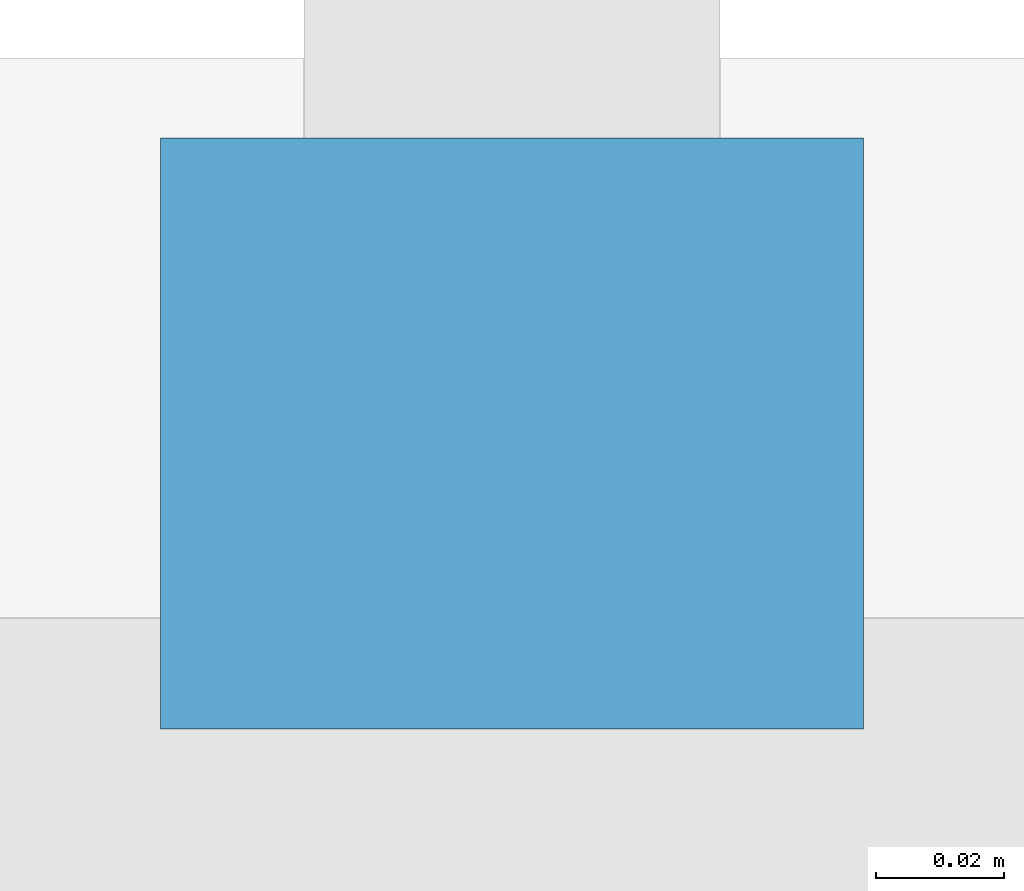
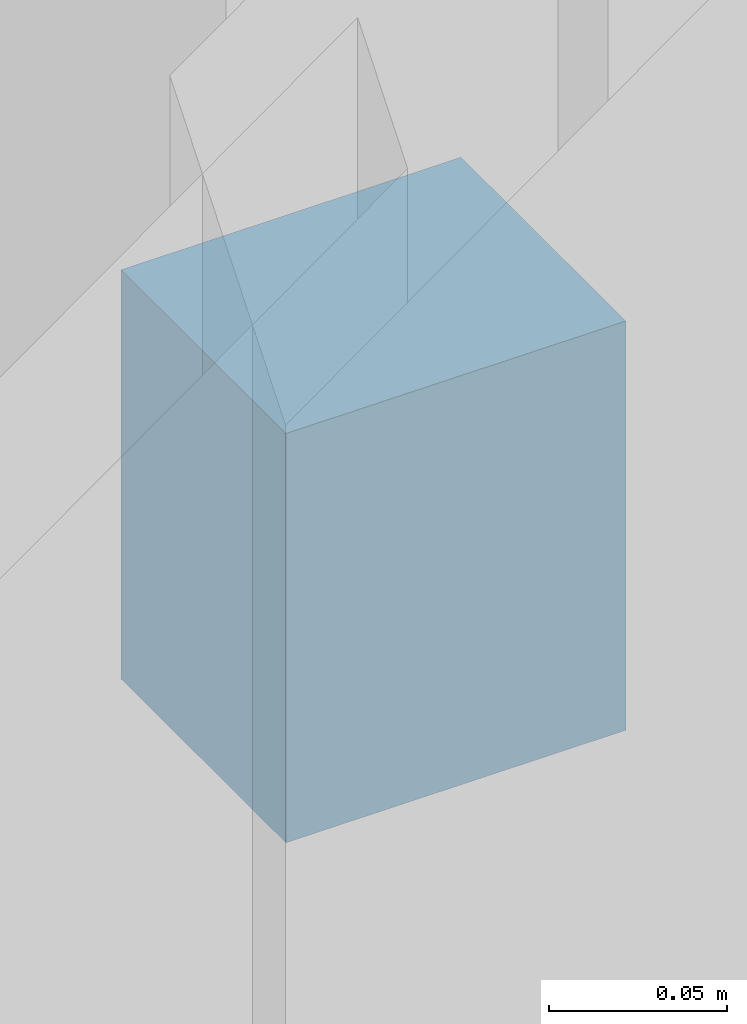
# One storey, part 13 of 15: 1 discrete accessory.
"""IFC4 building model written with IfcOpenShell, lengths in metres."""

from ifc_helpers import new_model, si_unit, direction, frame, origin, place, context, subcontext, project, spatial, polyline, outline, extrude, material, type_object, element, save


model = new_model("IFC4")

# Units and contexts
model_context = context("Model", 3, precision=1e-05, world=origin(), true_north=direction((0.0, 1.0)))
body_context = subcontext(model_context, "Body", "Model", "MODEL_VIEW")
ifc_project = project(units=[si_unit("LENGTHUNIT", "METRE"), si_unit("AREAUNIT", "SQUARE_METRE"), si_unit("VOLUMEUNIT", "CUBIC_METRE"), si_unit("PLANEANGLEUNIT", "RADIAN"), si_unit("MASSUNIT", "GRAM", prefix="KILO")], contexts=[model_context])

# Site, building, storey
site_placement = place(None, origin())
site = spatial("IfcSite", under=ifc_project, at=site_placement, CompositionType="ELEMENT")
building_placement = place(site_placement, origin())
building = spatial("IfcBuilding", under=site, at=building_placement, Name="Qalmaran Belvedere Hotel", CompositionType="ELEMENT")
storey_placement = place(building_placement, frame((0.0, 0.0, 203.89990234375)))
storey = spatial("IfcBuildingStorey", under=building, at=storey_placement, Name="L51", CompositionType="ELEMENT", Elevation=203.89990234375)

# Discrete accessory
ifc_material = material(Name="Stainless Steel 1.4401", Category="steel")
discrete_accessory_type = type_object("IfcDiscreteAccessoryType", Name="BRK-FIN-SS316", PredefinedType="BRACKET", material=ifc_material)
discrete_accessory_placement = place(storey_placement, frame((0.0, 0.0, 1.580078125)))
element("IfcDiscreteAccessory", 1, at=discrete_accessory_placement, inside=storey, type_object=discrete_accessory_type, Name="L51 Fin Bracket 1", PredefinedType="BRACKET", context=body_context, shape_type="SweptSolid", body=[
    extrude(outline(polyline([(23.830078125, 41.39501953125), (23.830078125, 41.487548828125), (23.719970703125, 41.487548828125), (23.719970703125, 41.39501953125), (23.830078125, 41.39501953125)])), origin(), (0.0, 0.0, 1.0), 0.14013671875),
])

save(model, "model.ifc")
